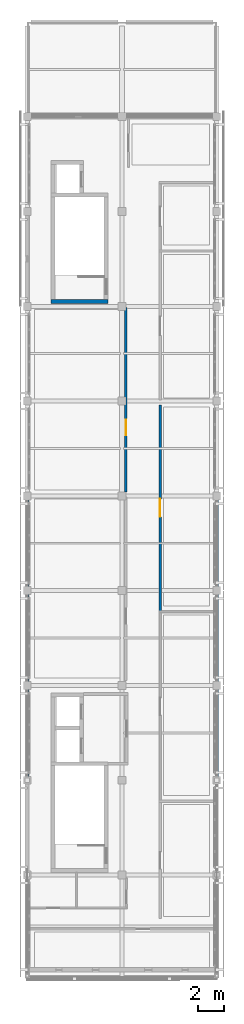
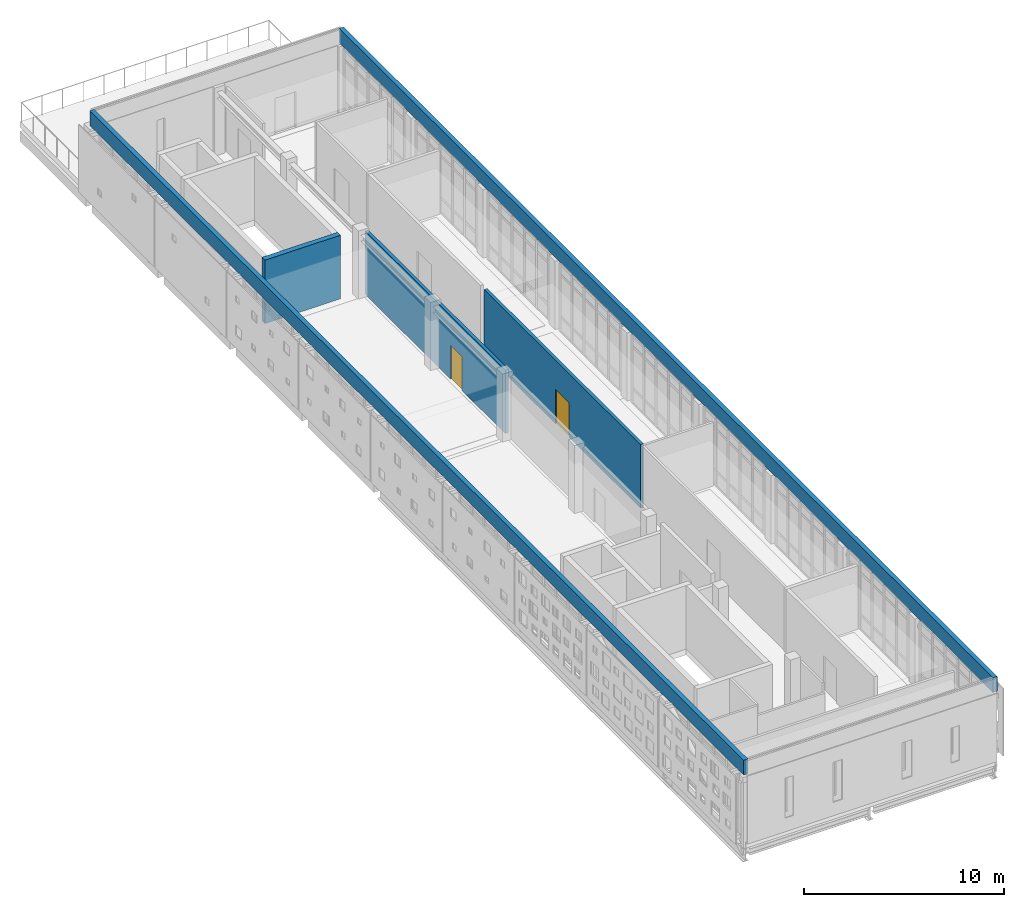
# One storey, part 15 of 19: 5 walls, 2 doors, 2 openings.
"""IFC4 building model written with IfcOpenShell, lengths in metres."""

from ifc_helpers import new_model, si_unit, direction, frame, frame_2d, origin, place, context, subcontext, project, spatial, rectangle, extrude, material, layer, layer_set, type_object, element, fill, save


model = new_model("IFC4")

# Units and contexts
model_context = context("Model", 3, precision=1e-05, world=origin(), true_north=direction((0.0, 1.0)))
body_context = subcontext(model_context, "Body", "Model", "MODEL_VIEW")
ifc_project = project(units=[si_unit("LENGTHUNIT", "METRE"), si_unit("AREAUNIT", "SQUARE_METRE"), si_unit("VOLUMEUNIT", "CUBIC_METRE"), si_unit("PLANEANGLEUNIT", "RADIAN"), si_unit("MASSUNIT", "GRAM", prefix="KILO")], contexts=[model_context])

# Site, building, storey
site_placement = place(None, origin())
site = spatial("IfcSite", under=ifc_project, at=site_placement, CompositionType="ELEMENT")
building_placement = place(site_placement, origin())
building = spatial("IfcBuilding", under=site, at=building_placement, Name="Valkovuoma Quantum and Materials Research Institute", CompositionType="ELEMENT")
storey_placement = place(building_placement, frame((0.0, 0.0, 38.080078125)))
storey = spatial("IfcBuildingStorey", under=building, at=storey_placement, Name="L09", CompositionType="ELEMENT", Elevation=38.080078125)

# Walls
ifc_material_1 = material(Name="Concrete C40/50", Category="concrete")
ifc_layer_1 = layer(ifc_material_1, 0.300048828125)
ifc_layer_set_1 = layer_set([ifc_layer_1], Name="Concrete C40/50")
wall_type_1 = type_object("IfcWallType", Name="Wall-W-COR300", PredefinedType="SHEAR", material=ifc_layer_set_1)
wall_1_placement = place(storey_placement, frame((1.800048828125, 72.35009765625, 0.0), z_axis=(0.0, 0.0, 1.0), x_axis=(1.0, 0.0, 0.0)))
element("IfcWall", 1, at=wall_1_placement, inside=storey, type_object=wall_type_1, Name="L09 core wall 0192", PredefinedType="SHEAR", context=body_context, shape_type="SweptSolid", body=[
    extrude(rectangle(XDim=4.349853515625, YDim=0.300048828125, at=frame_2d((2.1748046875, 0.0))), origin(), (0.0, 0.0, 1.0), 3.8798828125),
])
ifc_material_2 = material(Name="Precast concrete C40/50", Category="concrete")
ifc_layer_2 = layer(ifc_material_2, 0.25)
ifc_layer_set_2 = layer_set([ifc_layer_2], Name="Precast concrete C40/50")
wall_type_2 = type_object("IfcWallType", Name="Wall-W-PAR250", PredefinedType="PARAPET", material=ifc_layer_set_2)
for number, where, z_axis, x_axis, name in (
    (2, (0.0, 21.0, 4.159912109375), (0.0, 0.0, 1.0), (0.0, 1.0, 0.0), "L09 exterior wall 0071"),
    (3, (14.39990234375, 21.0, 4.159912109375), (0.0, 0.0, 1.0), (0.0, 1.0, 0.0), "L09 exterior wall 0072"),
):
    element("IfcWall", number, at=place(storey_placement, frame(where, z_axis=z_axis, x_axis=x_axis)), inside=storey, type_object=wall_type_2, Name=name, PredefinedType="PARAPET", context=body_context, shape_type="SweptSolid", body=[
        extrude(rectangle(XDim=65.39990234375, YDim=0.25, at=frame_2d((32.699951171875, 0.0))), origin(), (0.0, 0.0, 1.0), 0.89990234375),
    ])

# Wall, opening, door
ifc_material_3 = material(Name="Laboratory fire-rated gypsum partition", Category="masonry")
ifc_layer_3 = layer(ifc_material_3, 0.179931640625)
ifc_layer_set_3 = layer_set([ifc_layer_3], Name="Laboratory fire-rated gypsum partition")
wall_type_3 = type_object("IfcWallType", Name="Wall-W-PRT180", PredefinedType="PARTITIONING", material=ifc_layer_set_3)
wall_2_placement = place(storey_placement, frame((7.5, 57.889892578125, 0.0), z_axis=(0.0, 0.0, 1.0), x_axis=(0.0, 1.0, 0.0)))
wall_2 = element("IfcWall", 4, at=wall_2_placement, inside=storey, type_object=wall_type_3, Name="L09 partition 0287", PredefinedType="PARTITIONING", context=body_context, shape_type="SweptSolid", body=[
    extrude(rectangle(XDim=14.02001953125, YDim=0.179931640625, at=frame_2d((7.010009765625, 0.0))), origin(), (0.0, 0.0, 1.0), 3.8798828125),
])
opening_1_placement = place(wall_2_placement, frame((4.31689453125, 0.0, 0.0)))
opening_1 = element("IfcOpeningElement", 5, at=opening_1_placement, cuts=wall_2, Name="Opening ID-0202", PredefinedType="OPENING", context=body_context, shape_type="SweptSolid", body=[
    extrude(rectangle(XDim=1.179931640625, YDim=2.080078125, at=frame_2d((0.58984375, 1.0400390625))), frame((0.0, 0.10009765625, 0.0), z_axis=(0.0, -1.0, 0.0), x_axis=(1.0, 0.0, 0.0)), (0.0, 0.0, 1.0), 0.199951171875),
])
ifc_material_4 = material(Name="Powder-coated steel and acoustic timber door assembly", Category="steel")
door_type_1 = type_object("IfcDoorType", Name="Door-DR-RM06", OperationType="NOTDEFINED", PredefinedType="DOOR", material=ifc_material_4)
door_1_placement = place(opening_1_placement, origin())
door_1 = element("IfcDoor", 6, at=door_1_placement, inside=storey, type_object=door_type_1, Name="L09 room door 0202", OperationType="SINGLE_SWING_LEFT", OverallHeight=2.080078125, OverallWidth=1.179931640625, PredefinedType="DOOR", context=body_context, shape_type="SweptSolid", body=[
    extrude(rectangle(XDim=1.179931640625, YDim=2.080078125, at=frame_2d((0.58984375, 1.0400390625))), frame((0.0, 0.02490234375, 0.0), z_axis=(0.0, -1.0, 0.0), x_axis=(1.0, 0.0, 0.0)), (0.0, 0.0, 1.0), 0.050048828125),
])
fill(opening_1, door_1)

wall_3_placement = place(storey_placement, frame((10.10009765625, 48.867431640625, 0.0), z_axis=(0.0, 0.0, 1.0), x_axis=(0.0, 1.0, 0.0)))
wall_3 = element("IfcWall", 7, at=wall_3_placement, inside=storey, type_object=wall_type_3, Name="L09 partition 0293", PredefinedType="PARTITIONING", context=body_context, shape_type="SweptSolid", body=[
    extrude(rectangle(XDim=15.642578125, YDim=0.179931640625, at=frame_2d((7.8212890625, 0.0))), origin(), (0.0, 0.0, 1.0), 3.8798828125),
])
opening_2_placement = place(wall_3_placement, frame((7.131103515625, 0.0, 0.0)))
opening_2 = element("IfcOpeningElement", 8, at=opening_2_placement, cuts=wall_3, Name="Opening ID-0206", PredefinedType="OPENING", context=body_context, shape_type="SweptSolid", body=[
    extrude(rectangle(XDim=1.3798828125, YDim=2.1201171875, at=frame_2d((0.68994140625, 1.06005859375))), frame((0.0, 0.10009765625, 0.0), z_axis=(0.0, -1.0, 0.0), x_axis=(1.0, 0.0, 0.0)), (0.0, 0.0, 1.0), 0.199951171875),
])
ifc_material_5 = material(Name="Powder-coated steel and acoustic timber door assembly", Category="steel")
door_type_2 = type_object("IfcDoorType", Name="Door-DR-RM10", OperationType="NOTDEFINED", PredefinedType="DOOR", material=ifc_material_5)
door_2_placement = place(opening_2_placement, origin())
door_2 = element("IfcDoor", 9, at=door_2_placement, inside=storey, type_object=door_type_2, Name="L09 room door 0206", OperationType="SINGLE_SWING_LEFT", OverallHeight=2.1201171875, OverallWidth=1.3798828125, PredefinedType="DOOR", context=body_context, shape_type="SweptSolid", body=[
    extrude(rectangle(XDim=1.3798828125, YDim=2.1201171875, at=frame_2d((0.68994140625, 1.06005859375))), frame((0.0, 0.02490234375, 0.0), z_axis=(0.0, -1.0, 0.0), x_axis=(1.0, 0.0, 0.0)), (0.0, 0.0, 1.0), 0.050048828125),
])
fill(opening_2, door_2)

save(model, "model.ifc")
